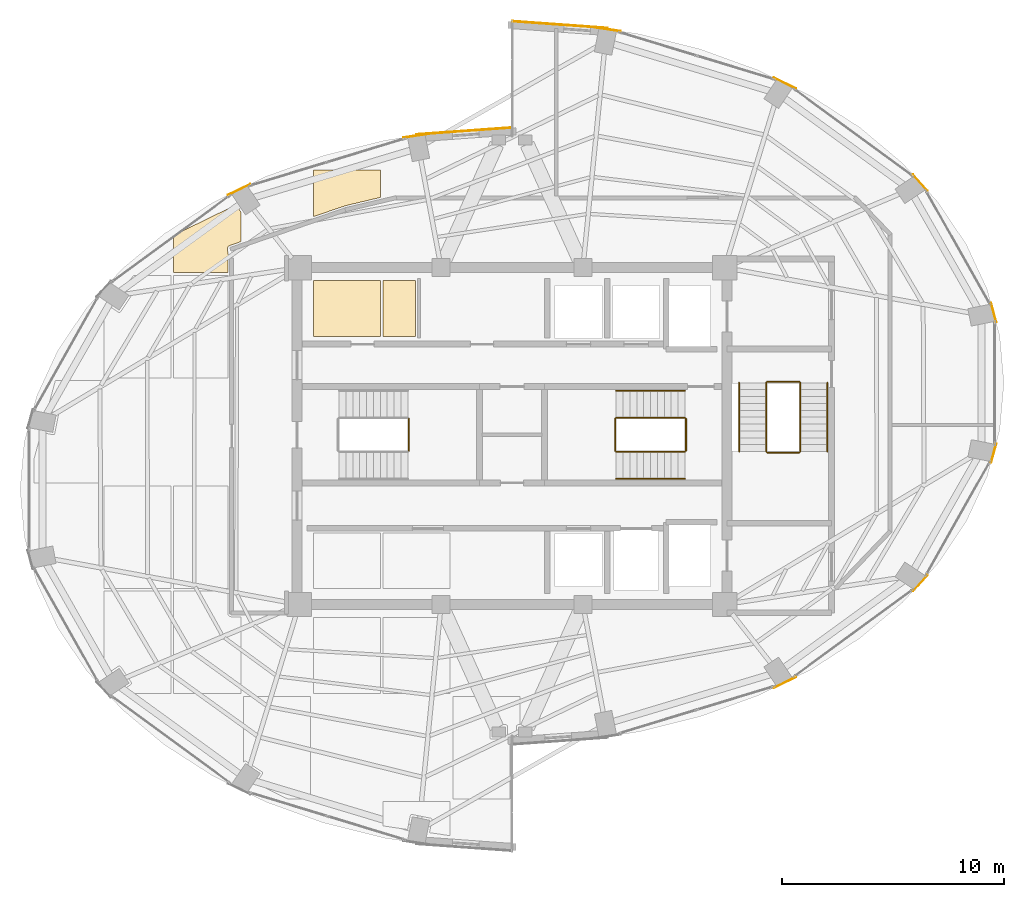
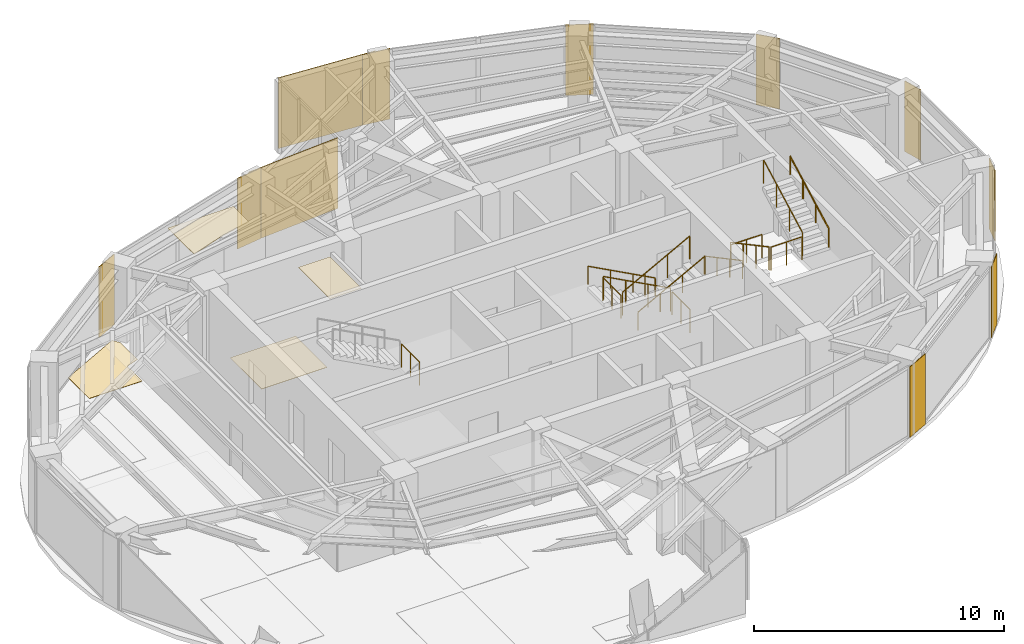
# One storey, part 22 of 22: 15 coverings, 13 railings.
"""IFC4 building model written with IfcOpenShell, lengths in metres."""

from ifc_helpers import new_model, si_unit, direction, frame, origin, origin_2d, place, context, subcontext, project, spatial, polyline, rectangle, circle, outline, extrude, material, layer, layer_set, type_object, element, save


model = new_model("IFC4")

# Units and contexts
model_context = context("Model", 3, precision=1e-05, world=origin(), true_north=direction((0.0, 1.0)))
body_context = subcontext(model_context, "Body", "Model", "MODEL_VIEW")
ifc_project = project(units=[si_unit("LENGTHUNIT", "METRE"), si_unit("AREAUNIT", "SQUARE_METRE"), si_unit("VOLUMEUNIT", "CUBIC_METRE"), si_unit("PLANEANGLEUNIT", "RADIAN"), si_unit("MASSUNIT", "GRAM", prefix="KILO")], contexts=[model_context])

# Site, building, storey
site_placement = place(None, origin())
site = spatial("IfcSite", under=ifc_project, at=site_placement, CompositionType="ELEMENT")
building_placement = place(site_placement, origin())
building = spatial("IfcBuilding", under=site, at=building_placement, Name="Lazwardi Medical Tower", CompositionType="ELEMENT")
storey_placement = place(building_placement, frame((0.0, 0.0, 255.02392578125)))
storey = spatial("IfcBuildingStorey", under=building, at=storey_placement, Name="L66", CompositionType="ELEMENT", Elevation=255.02392578125)

# Coverings
ifc_material_1 = material(Name="Anodised bronze aluminium cassette cladding", Category="aluminium")
ifc_layer_1 = layer(ifc_material_1, 0.030029296875)
ifc_layer_set_1 = layer_set([ifc_layer_1], Name="Anodised bronze aluminium cassette cladding")
covering_type_1 = type_object("IfcCoveringType", Name="COV-CLD-BRZ", PredefinedType="CLADDING", material=ifc_layer_set_1)
covering_1_placement = place(storey_placement, frame((48.311279296875, 16.878662109375, 0.0), z_axis=(0.0, 0.0, 1.0), x_axis=(0.897840141691, 0.440321564278, 0.0)))
element("IfcCovering", 1, at=covering_1_placement, inside=storey, type_object=covering_type_1, Name="L66 Mega-column bronze cassette cover M02", PredefinedType="CLADDING", context=body_context, shape_type="SweptSolid", body=[
    extrude(rectangle(XDim=1.110595703125, YDim=0.030029296875, at=origin_2d()), origin(), (0.0, 0.0, 1.0), 3.447998046875),
])
covering_2_placement = place(storey_placement, frame((54.42529296875, 21.365234375, 0.0), z_axis=(0.0, 0.0, 1.0), x_axis=(0.673240970654, 0.739423150458, 0.0)))
element("IfcCovering", 2, at=covering_2_placement, inside=storey, type_object=covering_type_1, Name="L66 Mega-column bronze cassette cover M03", PredefinedType="CLADDING", context=body_context, shape_type="SweptSolid", body=[
    extrude(rectangle(XDim=0.98974609375, YDim=0.030029296875, at=origin_2d()), origin(), (0.0, 0.0, 1.0), 3.447998046875),
])
for number, where, z_axis, x_axis, name in (
    (3, (57.734130859375, 27.227294921875, 0.0), (0.0, 0.0, 1.0), (0.261641748247, 0.96516506131, 0.0), "L66 Mega-column bronze cassette cover M04"),
    (4, (57.734130859375, 33.572509765625, 0.0), (0.0, 0.0, 1.0), (-0.261641748247, 0.96516506131, 0.0), "L66 Mega-column bronze cassette cover M05"),
):
    element("IfcCovering", number, at=place(storey_placement, frame(where, z_axis=z_axis, x_axis=x_axis)), inside=storey, type_object=covering_type_1, Name=name, PredefinedType="CLADDING", context=body_context, shape_type="SweptSolid", body=[
        extrude(rectangle(XDim=0.894287109375, YDim=0.030029296875, at=origin_2d()), origin(), (0.0, 0.0, 1.0), 3.447998046875),
    ])
covering_3_placement = place(storey_placement, frame((54.42529296875, 39.434814453125, 0.0), z_axis=(0.0, 0.0, 1.0), x_axis=(-0.673240970654, 0.739423150458, 0.0)))
element("IfcCovering", 5, at=covering_3_placement, inside=storey, type_object=covering_type_1, Name="L66 Mega-column bronze cassette cover M06", PredefinedType="CLADDING", context=body_context, shape_type="SweptSolid", body=[
    extrude(rectangle(XDim=0.98974609375, YDim=0.030029296875, at=origin_2d()), origin(), (0.0, 0.0, 1.0), 3.447998046875),
])
covering_4_placement = place(storey_placement, frame((48.311279296875, 43.92138671875, 0.0), z_axis=(0.0, 0.0, 1.0), x_axis=(-0.897840141691, 0.440321564278, 0.0)))
element("IfcCovering", 6, at=covering_4_placement, inside=storey, type_object=covering_type_1, Name="L66 Mega-column bronze cassette cover M07", PredefinedType="CLADDING", context=body_context, shape_type="SweptSolid", body=[
    extrude(rectangle(XDim=1.110595703125, YDim=0.030029296875, at=origin_2d()), origin(), (0.0, 0.0, 1.0), 3.447998046875),
])
for number, where, z_axis, x_axis, name in (
    (7, (40.3232421875, 46.349609375, 0.0), (0.0, 0.0, 1.0), (-0.989512431533, 0.144447733943, 0.0), "L66 Mega-column bronze cassette cover M08"),
    (8, (31.6767578125, 41.549560546875, 0.0), (0.0, 0.0, 1.0), (-0.989512431533, -0.144447733943, 0.0), "L66 Mega-column bronze cassette cover M09"),
):
    element("IfcCovering", number, at=place(storey_placement, frame(where, z_axis=z_axis, x_axis=x_axis)), inside=storey, type_object=covering_type_1, Name=name, PredefinedType="CLADDING", context=body_context, shape_type="SweptSolid", body=[
        extrude(rectangle(XDim=1.188720703125, YDim=0.030029296875, at=origin_2d()), origin(), (0.0, 0.0, 1.0), 3.447998046875),
    ])
covering_5_placement = place(storey_placement, frame((23.688720703125, 39.121337890625, 0.0), z_axis=(0.0, 0.0, 1.0), x_axis=(-0.897840141691, -0.440321564278, 0.0)))
element("IfcCovering", 9, at=covering_5_placement, inside=storey, type_object=covering_type_1, Name="L66 Mega-column bronze cassette cover M10", PredefinedType="CLADDING", context=body_context, shape_type="SweptSolid", body=[
    extrude(rectangle(XDim=1.110595703125, YDim=0.030029296875, at=origin_2d()), origin(), (0.0, 0.0, 1.0), 3.447998046875),
])
ifc_material_2 = material(Name="Turquoise glazed ceramic tilework cladding", Category="masonry")
ifc_layer_2 = layer(ifc_material_2, 0.034912109375)
ifc_layer_set_2 = layer_set([ifc_layer_2], Name="Turquoise glazed ceramic tilework cladding")
covering_type_2 = type_object("IfcCoveringType", Name="COV-CLD-TRQ", PredefinedType="CLADDING", material=ifc_layer_set_2)
covering_6_placement = place(storey_placement, frame((38.16259765625, 46.56005859375, 0.0), z_axis=(0.0, 0.0, 1.0), x_axis=(-0.997409491337, 0.071932653157, 0.0)))
element("IfcCovering", 10, at=covering_6_placement, inside=storey, type_object=covering_type_2, Name="L66 Turquoise glazed ceramic tilework cladding", PredefinedType="CLADDING", context=body_context, shape_type="SweptSolid", body=[
    extrude(rectangle(XDim=4.31103515625, YDim=0.034912109375, at=origin_2d()), origin(), (0.0, 0.0, 1.0), 3.447998046875),
])
covering_7_placement = place(storey_placement, frame((33.83740234375, 41.760009765625, 0.0), z_axis=(0.0, 0.0, 1.0), x_axis=(-0.997408989128, -0.071939616387, 0.0)))
element("IfcCovering", 11, at=covering_7_placement, inside=storey, type_object=covering_type_2, Name="L66 Turquoise glazed ceramic tilework cladding", PredefinedType="CLADDING", context=body_context, shape_type="SweptSolid", body=[
    extrude(rectangle(XDim=4.310546875, YDim=0.034912109375, at=origin_2d()), origin(), (0.0, 0.0, 1.0), 3.447998046875),
])
ifc_material_3 = material(Name="Acoustic mineral fibre tile")
ifc_layer_3 = layer(ifc_material_3, 0.02490234375)
ifc_layer_set_3 = layer_set([ifc_layer_3], Name="Acoustic mineral fibre tile")
covering_type_3 = type_object("IfcCoveringType", Name="COV-CLG-01", PredefinedType="CEILING", material=ifc_layer_set_3)
covering_8_placement = place(storey_placement, frame((0.0, 0.0, 3.302978515625)))
element("IfcCovering", 12, at=covering_8_placement, inside=storey, type_object=covering_type_3, Name="L66 Clinical Acoustic Ceiling 7", PredefinedType="CEILING", context=body_context, shape_type="SweptSolid", body=[
    extrude(outline(polyline([(27.032958984375, 37.89501953125), (28.457763671875, 38.385498046875), (28.461669921875, 38.386962890625), (28.470703125, 38.389404296875), (28.474365234375, 38.390380859375), (30.06298828125, 38.76708984375), (30.06298828125, 40.00244140625), (27.032958984375, 40.00244140625), (27.032958984375, 37.89501953125)])), origin(), (0.0, 0.0, 1.0), 0.025146484375),
])
covering_9_placement = place(storey_placement, frame((0.0, 0.0, 3.302978515625)))
element("IfcCovering", 13, at=covering_9_placement, inside=storey, type_object=covering_type_3, Name="L66 Clinical Acoustic Ceiling 9", PredefinedType="CEILING", context=body_context, shape_type="SweptSolid", body=[
    extrude(outline(polyline([(30.182861328125, 32.5), (31.639892578125, 32.5), (31.639892578125, 35.02001953125), (30.182861328125, 35.02001953125), (30.182861328125, 32.5)])), origin(), (0.0, 0.0, 1.0), 0.025146484375),
])
ifc_material_4 = material(Name="Anti-static hospital vinyl sheet flooring")
ifc_layer_4 = layer(ifc_material_4, 0.014892578125)
ifc_layer_set_4 = layer_set([ifc_layer_4], Name="Anti-static hospital vinyl sheet flooring")
covering_type_4 = type_object("IfcCoveringType", Name="COV-FLR-01", PredefinedType="FLOORING", material=ifc_layer_set_4)
covering_10_placement = place(storey_placement, origin())
element("IfcCovering", 14, at=covering_10_placement, inside=storey, type_object=covering_type_4, Name="L66 Clinical Vinyl Flooring 5", PredefinedType="FLOORING", context=body_context, shape_type="SweptSolid", body=[
    extrude(outline(polyline([(23.762939453125, 38.108642578125), (23.545654296875, 38.43359375), (20.73291015625, 37.057861328125), (20.73291015625, 35.37255859375), (23.175048828125, 35.37255859375), (23.175048828125, 35.982421875), (23.175048828125, 35.986572265625), (23.175537109375, 35.99609375), (23.176513671875, 36.00439453125), (23.177978515625, 36.01416015625), (23.179443359375, 36.021484375), (23.181884765625, 36.031005859375), (23.1845703125, 36.039306640625), (23.18798828125, 36.04833984375), (23.191162109375, 36.055419921875), (23.1953125, 36.064208984375), (23.199462890625, 36.071533203125), (23.20458984375, 36.079833984375), (23.209228515625, 36.086181640625), (23.212158203125, 36.090087890625), (23.1591796875, 36.40625), (23.15869140625, 36.410400390625), (23.15771484375, 36.419921875), (23.156982421875, 36.42724609375), (23.156982421875, 36.436767578125), (23.1572265625, 36.446044921875), (23.158203125, 36.45556640625), (23.1591796875, 36.462158203125), (23.160888671875, 36.4716796875), (23.162841796875, 36.480224609375), (23.16552734375, 36.4892578125), (23.16796875, 36.49658203125), (23.171630859375, 36.50537109375), (23.1748046875, 36.512451171875), (23.17919921875, 36.52099609375), (23.183837890625, 36.5283203125), (23.189208984375, 36.536376953125), (23.19384765625, 36.54248046875), (23.199951171875, 36.550048828125), (23.205078125, 36.5556640625), (23.211669921875, 36.5625), (23.218017578125, 36.56787109375), (23.225341796875, 36.573974609375), (23.2314453125, 36.57861328125), (23.239501953125, 36.583740234375), (23.24658203125, 36.587890625), (23.2548828125, 36.59228515625), (23.2626953125, 36.595947265625), (23.271728515625, 36.599365234375), (23.27490234375, 36.6005859375), (23.762939453125, 36.768798828125), (23.762939453125, 38.108642578125)])), origin(), (0.0, 0.0, 1.0), 0.01513671875),
])
covering_11_placement = place(storey_placement, origin())
element("IfcCovering", 15, at=covering_11_placement, inside=storey, type_object=covering_type_4, Name="L66 Clinical Vinyl Flooring 8", PredefinedType="FLOORING", context=body_context, shape_type="SweptSolid", body=[
    extrude(outline(polyline([(30.06298828125, 35.02001953125), (27.04931640625, 35.02001953125), (27.048583984375, 35.014404296875), (27.046630859375, 35.0068359375), (27.0439453125, 34.99951171875), (27.04052734375, 34.9921875), (27.03662109375, 34.985595703125), (27.032958984375, 34.980712890625), (27.032958984375, 32.5), (30.06298828125, 32.5), (30.06298828125, 35.02001953125)])), origin(), (0.0, 0.0, 1.0), 0.01513671875),
])

# Railings
ifc_material_5 = material(Name="Stainless steel Grade 316", Category="steel")
railing_type_1 = type_object("IfcRailingType", Name="RLG-GRD-1150", PredefinedType="GUARDRAIL", material=ifc_material_5)
railing_1_placement = place(storey_placement, frame((31.35009765625, 27.340087890625, 1.823974609375)))
element("IfcRailing", 16, at=railing_1_placement, inside=storey, type_object=railing_type_1, Name="L66 ST1 stair guard 2", PredefinedType="GUARDRAIL", context=body_context, shape_type="SweptSolid", body=[
    extrude(circle(Radius=0.02392578125, at=origin_2d()), frame((0.0, 0.0, 1.1259765625), z_axis=(0.0, 1.0, 0.0), x_axis=(-1.0, 0.0, 0.0)), (0.0, 0.0, 1.0), 1.43994140625),
    extrude(circle(Radius=0.02099609375, at=origin_2d()), origin(), (0.0, 0.0, 1.0), 1.099853515625),
    extrude(circle(Radius=0.02099609375, at=origin_2d()), frame((0.0, 0.719970703125, 0.0)), (0.0, 0.0, 1.0), 1.099853515625),
    extrude(circle(Radius=0.02099609375, at=origin_2d()), frame((0.0, 1.43994140625, 0.0)), (0.0, 0.0, 1.0), 1.099853515625),
])
railing_2_placement = place(storey_placement, frame((43.800048828125, 28.830078125, 0.165771484375)))
element("IfcRailing", 17, at=railing_2_placement, inside=storey, type_object=railing_type_1, Name="L66 ST2 stair guard 1", PredefinedType="GUARDRAIL", context=body_context, shape_type="SweptSolid", body=[
    extrude(circle(Radius=0.02392578125, at=origin_2d()), frame((0.0, 0.0, 1.1259765625), z_axis=(-0.881783298633, 0.0, 0.471654761719), x_axis=(0.0, -1.0, 0.0)), (0.0, 0.0, 1.0), 3.515625),
    extrude(circle(Radius=0.02099609375, at=origin_2d()), origin(), (0.0, 0.0, 1.0), 1.099853515625),
    extrude(circle(Radius=0.02099609375, at=origin_2d()), frame((-1.033447265625, 0.0, 0.552734375)), (0.0, 0.0, 1.0), 1.099853515625),
    extrude(circle(Radius=0.02099609375, at=origin_2d()), frame((-2.066650390625, 0.0, 1.10546875)), (0.0, 0.0, 1.0), 1.099853515625),
    extrude(circle(Radius=0.02099609375, at=origin_2d()), frame((-3.10009765625, 0.0, 1.658203125)), (0.0, 0.0, 1.0), 1.099853515625),
])
railing_3_placement = place(storey_placement, frame((40.64990234375, 28.780029296875, 1.823974609375)))
element("IfcRailing", 18, at=railing_3_placement, inside=storey, type_object=railing_type_1, Name="L66 ST2 stair guard 2", PredefinedType="GUARDRAIL", context=body_context, shape_type="SweptSolid", body=[
    extrude(circle(Radius=0.02392578125, at=origin_2d()), frame((0.0, 0.0, 1.1259765625), z_axis=(0.0, -1.0, 0.0), x_axis=(1.0, 0.0, 0.0)), (0.0, 0.0, 1.0), 1.43994140625),
    extrude(circle(Radius=0.02099609375, at=origin_2d()), origin(), (0.0, 0.0, 1.0), 1.099853515625),
    extrude(circle(Radius=0.02099609375, at=origin_2d()), frame((0.0, -0.719970703125, 0.0)), (0.0, 0.0, 1.0), 1.099853515625),
    extrude(circle(Radius=0.02099609375, at=origin_2d()), frame((0.0, -1.43994140625, 0.0)), (0.0, 0.0, 1.0), 1.099853515625),
])
railing_4_placement = place(storey_placement, frame((40.699951171875, 27.2900390625, 1.989990234375)))
element("IfcRailing", 19, at=railing_4_placement, inside=storey, type_object=railing_type_1, Name="L66 ST2 stair guard 3", PredefinedType="GUARDRAIL", context=body_context, shape_type="SweptSolid", body=[
    extrude(circle(Radius=0.02392578125, at=origin_2d()), frame((0.0, 0.0, 1.1259765625), z_axis=(0.881783298633, 0.0, 0.471654761719), x_axis=(0.0, 1.0, 0.0)), (0.0, 0.0, 1.0), 3.515625),
    extrude(circle(Radius=0.02099609375, at=origin_2d()), origin(), (0.0, 0.0, 1.0), 1.099853515625),
    extrude(circle(Radius=0.02099609375, at=origin_2d()), frame((1.033447265625, 0.0, 0.552734375)), (0.0, 0.0, 1.0), 1.099853515625),
    extrude(circle(Radius=0.02099609375, at=origin_2d()), frame((2.066650390625, 0.0, 1.10546875)), (0.0, 0.0, 1.0), 1.099853515625),
    extrude(circle(Radius=0.02099609375, at=origin_2d()), frame((3.10009765625, 0.0, 1.658203125)), (0.0, 0.0, 1.0), 1.099853515625),
])
railing_5_placement = place(storey_placement, frame((43.85009765625, 28.780029296875, 0.0)))
element("IfcRailing", 20, at=railing_5_placement, inside=storey, type_object=railing_type_1, Name="L66 ST2 stair guard 4", PredefinedType="GUARDRAIL", context=body_context, shape_type="SweptSolid", body=[
    extrude(circle(Radius=0.02392578125, at=origin_2d()), frame((0.0, 0.0, 1.1259765625), z_axis=(0.0, -1.0, 0.0), x_axis=(1.0, 0.0, 0.0)), (0.0, 0.0, 1.0), 1.43994140625),
    extrude(circle(Radius=0.02099609375, at=origin_2d()), origin(), (0.0, 0.0, 1.0), 1.099853515625),
    extrude(circle(Radius=0.02099609375, at=origin_2d()), frame((0.0, -0.719970703125, 0.0)), (0.0, 0.0, 1.0), 1.099853515625),
    extrude(circle(Radius=0.02099609375, at=origin_2d()), frame((0.0, -1.43994140625, 0.0)), (0.0, 0.0, 1.0), 1.099853515625),
])
railing_6_placement = place(storey_placement, frame((47.469970703125, 30.39990234375, 0.165771484375)))
element("IfcRailing", 21, at=railing_6_placement, inside=storey, type_object=railing_type_1, Name="L66 ST3 stair guard 1", PredefinedType="GUARDRAIL", context=body_context, shape_type="SweptSolid", body=[
    extrude(circle(Radius=0.02392578125, at=origin_2d()), frame((0.0, 0.0, 1.1259765625), z_axis=(0.0, -0.881767849116, 0.471683644262), x_axis=(1.0, 0.0, 0.0)), (0.0, 0.0, 1.0), 3.515380859375),
    extrude(circle(Radius=0.02099609375, at=origin_2d()), origin(), (0.0, 0.0, 1.0), 1.099853515625),
    extrude(circle(Radius=0.02099609375, at=origin_2d()), frame((0.0, -1.033203125, 0.552734375)), (0.0, 0.0, 1.0), 1.099853515625),
    extrude(circle(Radius=0.02099609375, at=origin_2d()), frame((0.0, -2.066650390625, 1.10546875)), (0.0, 0.0, 1.0), 1.099853515625),
    extrude(circle(Radius=0.02099609375, at=origin_2d()), frame((0.0, -3.099853515625, 1.658203125)), (0.0, 0.0, 1.0), 1.099853515625),
])
railing_7_placement = place(storey_placement, frame((47.52001953125, 27.25, 1.823974609375)))
element("IfcRailing", 22, at=railing_7_placement, inside=storey, type_object=railing_type_1, Name="L66 ST3 stair guard 2", PredefinedType="GUARDRAIL", context=body_context, shape_type="SweptSolid", body=[
    extrude(circle(Radius=0.02392578125, at=origin_2d()), frame((0.0, 0.0, 1.1259765625), z_axis=(1.0, 0.0, 0.0), x_axis=(0.0, 1.0, 0.0)), (0.0, 0.0, 1.0), 1.43994140625),
    extrude(circle(Radius=0.02099609375, at=origin_2d()), origin(), (0.0, 0.0, 1.0), 1.099853515625),
    extrude(circle(Radius=0.02099609375, at=origin_2d()), frame((0.719970703125, 0.0, 0.0)), (0.0, 0.0, 1.0), 1.099853515625),
    extrude(circle(Radius=0.02099609375, at=origin_2d()), frame((1.43994140625, 0.0, 0.0)), (0.0, 0.0, 1.0), 1.099853515625),
])
railing_8_placement = place(storey_placement, frame((49.010009765625, 27.300048828125, 1.989990234375)))
element("IfcRailing", 23, at=railing_8_placement, inside=storey, type_object=railing_type_1, Name="L66 ST3 stair guard 3", PredefinedType="GUARDRAIL", context=body_context, shape_type="SweptSolid", body=[
    extrude(circle(Radius=0.02392578125, at=origin_2d()), frame((0.0, 0.0, 1.1259765625), z_axis=(0.0, 0.881767849116, 0.471683644262), x_axis=(-1.0, 0.0, 0.0)), (0.0, 0.0, 1.0), 3.515380859375),
    extrude(circle(Radius=0.02099609375, at=origin_2d()), origin(), (0.0, 0.0, 1.0), 1.099853515625),
    extrude(circle(Radius=0.02099609375, at=origin_2d()), frame((0.0, 1.033203125, 0.552734375)), (0.0, 0.0, 1.0), 1.099853515625),
    extrude(circle(Radius=0.02099609375, at=origin_2d()), frame((0.0, 2.066650390625, 1.10546875)), (0.0, 0.0, 1.0), 1.099853515625),
    extrude(circle(Radius=0.02099609375, at=origin_2d()), frame((0.0, 3.099853515625, 1.658203125)), (0.0, 0.0, 1.0), 1.099853515625),
])
railing_9_placement = place(storey_placement, frame((47.52001953125, 30.449951171875, 0.0)))
element("IfcRailing", 24, at=railing_9_placement, inside=storey, type_object=railing_type_1, Name="L66 ST3 stair guard 4", PredefinedType="GUARDRAIL", context=body_context, shape_type="SweptSolid", body=[
    extrude(circle(Radius=0.02392578125, at=origin_2d()), frame((0.0, 0.0, 1.1259765625), z_axis=(1.0, 0.0, 0.0), x_axis=(0.0, 1.0, 0.0)), (0.0, 0.0, 1.0), 1.43994140625),
    extrude(circle(Radius=0.02099609375, at=origin_2d()), origin(), (0.0, 0.0, 1.0), 1.099853515625),
    extrude(circle(Radius=0.02099609375, at=origin_2d()), frame((0.719970703125, 0.0, 0.0)), (0.0, 0.0, 1.0), 1.099853515625),
    extrude(circle(Radius=0.02099609375, at=origin_2d()), frame((1.43994140625, 0.0, 0.0)), (0.0, 0.0, 1.0), 1.099853515625),
])
railing_type_2 = type_object("IfcRailingType", Name="RLG-HND-920", PredefinedType="HANDRAIL", material=ifc_material_5)
railing_10_placement = place(storey_placement, frame((43.800048828125, 30.050048828125, 0.165771484375)))
element("IfcRailing", 25, at=railing_10_placement, inside=storey, type_object=railing_type_2, Name="L66 ST2 stair handrail 1", PredefinedType="HANDRAIL", context=body_context, shape_type="SweptSolid", body=[
    extrude(circle(Radius=0.02392578125, at=origin_2d()), frame((0.0, 0.0, 0.8857421875), z_axis=(-0.881783298633, 0.0, 0.471654761719), x_axis=(0.0, -1.0, 0.0)), (0.0, 0.0, 1.0), 3.515625),
    extrude(circle(Radius=0.02099609375, at=origin_2d()), origin(), (0.0, 0.0, 1.0), 0.85986328125),
    extrude(circle(Radius=0.02099609375, at=origin_2d()), frame((-1.033447265625, 0.0, 0.552734375)), (0.0, 0.0, 1.0), 0.85986328125),
    extrude(circle(Radius=0.02099609375, at=origin_2d()), frame((-2.066650390625, 0.0, 1.10546875)), (0.0, 0.0, 1.0), 0.85986328125),
    extrude(circle(Radius=0.02099609375, at=origin_2d()), frame((-3.10009765625, 0.0, 1.658203125)), (0.0, 0.0, 1.0), 0.85986328125),
])
railing_11_placement = place(storey_placement, frame((40.699951171875, 26.070068359375, 1.989990234375)))
element("IfcRailing", 26, at=railing_11_placement, inside=storey, type_object=railing_type_2, Name="L66 ST2 stair handrail 2", PredefinedType="HANDRAIL", context=body_context, shape_type="SweptSolid", body=[
    extrude(circle(Radius=0.02392578125, at=origin_2d()), frame((0.0, 0.0, 0.8857421875), z_axis=(0.881783298633, 0.0, 0.471654761719), x_axis=(0.0, 1.0, 0.0)), (0.0, 0.0, 1.0), 3.515625),
    extrude(circle(Radius=0.02099609375, at=origin_2d()), origin(), (0.0, 0.0, 1.0), 0.85986328125),
    extrude(circle(Radius=0.02099609375, at=origin_2d()), frame((1.033447265625, 0.0, 0.552734375)), (0.0, 0.0, 1.0), 0.85986328125),
    extrude(circle(Radius=0.02099609375, at=origin_2d()), frame((2.066650390625, 0.0, 1.10546875)), (0.0, 0.0, 1.0), 0.85986328125),
    extrude(circle(Radius=0.02099609375, at=origin_2d()), frame((3.10009765625, 0.0, 1.658203125)), (0.0, 0.0, 1.0), 0.85986328125),
])
railing_12_placement = place(storey_placement, frame((46.25, 30.39990234375, 0.165771484375)))
element("IfcRailing", 27, at=railing_12_placement, inside=storey, type_object=railing_type_2, Name="L66 ST3 stair handrail 1", PredefinedType="HANDRAIL", context=body_context, shape_type="SweptSolid", body=[
    extrude(circle(Radius=0.02392578125, at=origin_2d()), frame((0.0, 0.0, 0.8857421875), z_axis=(0.0, -0.881767849116, 0.471683644262), x_axis=(1.0, 0.0, 0.0)), (0.0, 0.0, 1.0), 3.515380859375),
    extrude(circle(Radius=0.02099609375, at=origin_2d()), origin(), (0.0, 0.0, 1.0), 0.85986328125),
    extrude(circle(Radius=0.02099609375, at=origin_2d()), frame((0.0, -1.033203125, 0.552734375)), (0.0, 0.0, 1.0), 0.85986328125),
    extrude(circle(Radius=0.02099609375, at=origin_2d()), frame((0.0, -2.066650390625, 1.10546875)), (0.0, 0.0, 1.0), 0.85986328125),
    extrude(circle(Radius=0.02099609375, at=origin_2d()), frame((0.0, -3.099853515625, 1.658203125)), (0.0, 0.0, 1.0), 0.85986328125),
])
railing_13_placement = place(storey_placement, frame((50.22998046875, 27.300048828125, 1.989990234375)))
element("IfcRailing", 28, at=railing_13_placement, inside=storey, type_object=railing_type_2, Name="L66 ST3 stair handrail 2", PredefinedType="HANDRAIL", context=body_context, shape_type="SweptSolid", body=[
    extrude(circle(Radius=0.02392578125, at=origin_2d()), frame((0.0, 0.0, 0.8857421875), z_axis=(0.0, 0.881767849116, 0.471683644262), x_axis=(-1.0, 0.0, 0.0)), (0.0, 0.0, 1.0), 3.515380859375),
    extrude(circle(Radius=0.02099609375, at=origin_2d()), origin(), (0.0, 0.0, 1.0), 0.85986328125),
    extrude(circle(Radius=0.02099609375, at=origin_2d()), frame((0.0, 1.033203125, 0.552734375)), (0.0, 0.0, 1.0), 0.85986328125),
    extrude(circle(Radius=0.02099609375, at=origin_2d()), frame((0.0, 2.066650390625, 1.10546875)), (0.0, 0.0, 1.0), 0.85986328125),
    extrude(circle(Radius=0.02099609375, at=origin_2d()), frame((0.0, 3.099853515625, 1.658203125)), (0.0, 0.0, 1.0), 0.85986328125),
])

save(model, "model.ifc")
